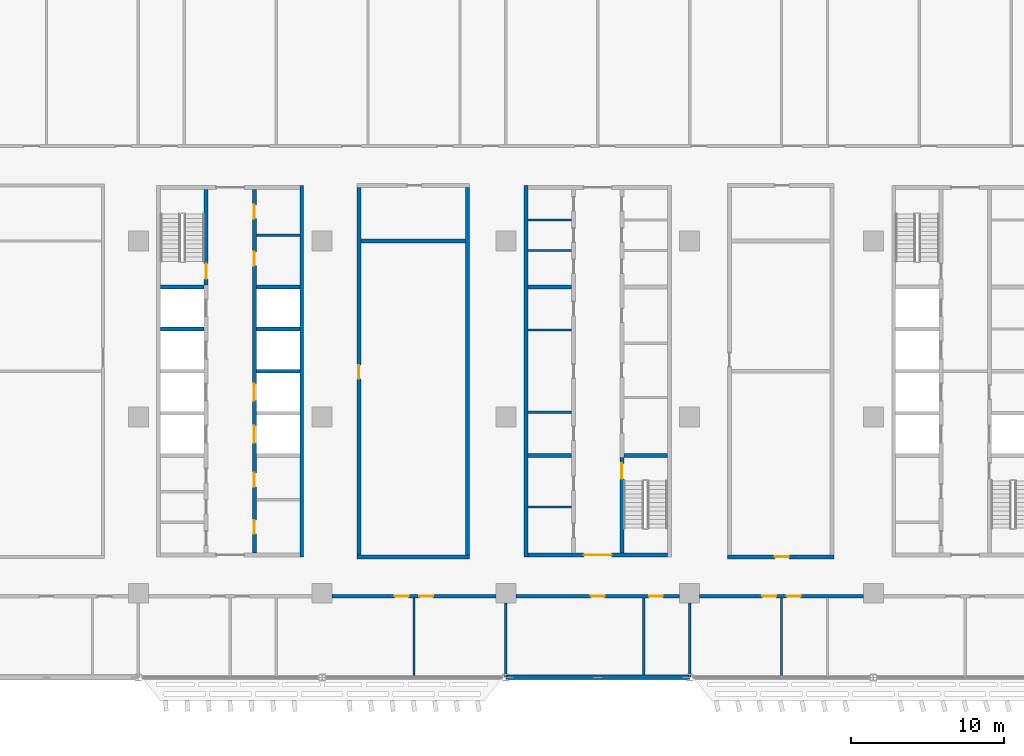
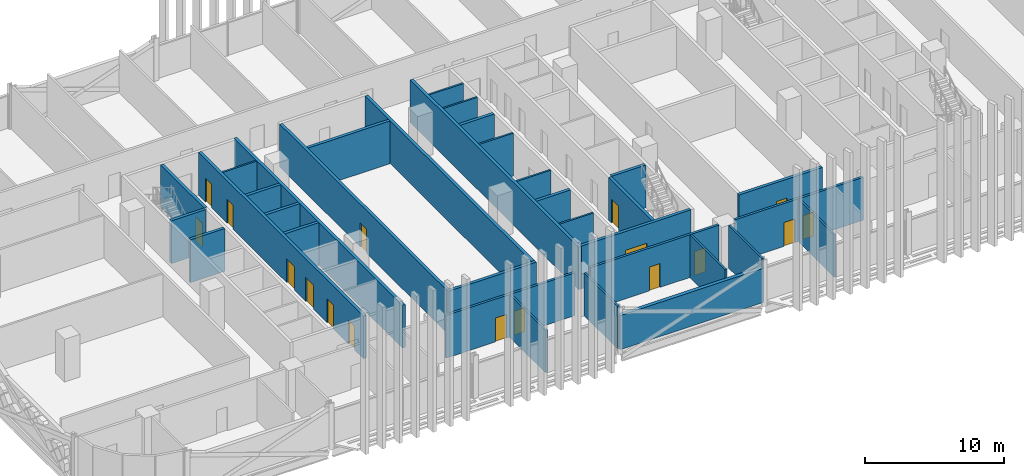
# One storey, part 14 of 32: 34 walls, 17 doors, 17 openings.
"""IFC4 building model written with IfcOpenShell, lengths in metres."""

from ifc_helpers import new_model, si_unit, direction, frame, frame_2d, origin, place, context, subcontext, project, spatial, rectangle, extrude, material, layer, layer_set, type_object, element, fill, save


model = new_model("IFC4")

# Units and contexts
model_context = context("Model", 3, precision=1e-05, world=origin(), true_north=direction((0.0, 1.0)))
body_context = subcontext(model_context, "Body", "Model", "MODEL_VIEW")
ifc_project = project(units=[si_unit("LENGTHUNIT", "METRE"), si_unit("AREAUNIT", "SQUARE_METRE"), si_unit("VOLUMEUNIT", "CUBIC_METRE"), si_unit("PLANEANGLEUNIT", "RADIAN"), si_unit("MASSUNIT", "GRAM", prefix="KILO")], contexts=[model_context])

# Site, building, storey
site_placement = place(None, origin())
site = spatial("IfcSite", under=ifc_project, at=site_placement, CompositionType="ELEMENT")
building_placement = place(site_placement, origin())
building = spatial("IfcBuilding", under=site, at=building_placement, Name="Mahtab Terrace Research Tower", CompositionType="ELEMENT")
storey_placement = place(building_placement, frame((0.0, 0.0, 138.39990234375)))
storey = spatial("IfcBuildingStorey", under=building, at=storey_placement, Name="L32", CompositionType="ELEMENT", Elevation=138.39990234375)

# Walls
ifc_material_1 = material(Name="Gypsum board partition")
ifc_layer_1 = layer(ifc_material_1, 0.14990234375)
ifc_layer_set_1 = layer_set([ifc_layer_1], Name="Core partition 150")
wall_type_1 = type_object("IfcWallType", Name="Core partition 150", PredefinedType="PARTITIONING", material=ifc_layer_set_1)
for number, where, z_axis, x_axis, name in (
    (1, (-22.300048828125, 11.875, 0.0), (0.0, 0.0, 1.0), (1.0, 0.0, 0.0), "Core wall A pEN888"),
    (2, (-4.550048828125, 0.3125, 0.0), (0.0, 0.0, 1.0), (1.0, 0.0, 0.0), "Core wall B pWL-269"),
    (3, (-4.550048828125, 5.6875, 0.0), (0.0, 0.0, 1.0), (1.0, 0.0, 0.0), "Core wall B pWL269"),
    (4, (-4.550048828125, -5.875, 0.0), (0.0, 0.0, 1.0), (1.0, 0.0, 0.0), "Core wall B pWS-888"),
    (5, (-4.550048828125, 10.875, 0.0), (0.0, 0.0, 1.0), (1.0, 0.0, 0.0), "Core wall B pWN788"),
    (6, (-4.550048828125, 12.875, 0.0), (0.0, 0.0, 1.0), (1.0, 0.0, 0.0), "Core wall B pWN988"),
):
    element("IfcWall", number, at=place(storey_placement, frame(where, z_axis=z_axis, x_axis=x_axis)), inside=storey, type_object=wall_type_1, Name=name, PredefinedType="PARTITIONING", context=body_context, shape_type="SweptSolid", body=[
        extrude(rectangle(XDim=2.85009765625, YDim=0.14990234375, at=frame_2d((1.425048828125, 0.0))), origin(), (0.0, 0.0, 1.0), 3.760009765625),
    ])
ifc_material_2 = material(Name="Concrete C70/85", Category="concrete")
ifc_layer_2 = layer(ifc_material_2, 0.25)
ifc_layer_set_2 = layer_set([ifc_layer_2], Name="Core wall 250")
wall_type_2 = type_object("IfcWallType", Name="Core wall 250", PredefinedType="SOLIDWALL", material=ifc_layer_set_2)
wall_1_placement = place(storey_placement, frame((-19.324951171875, -9.125, 0.0), z_axis=(0.0, 0.0, 1.0), x_axis=(0.0, 1.0, 0.0)))
element("IfcWall", 7, at=wall_1_placement, inside=storey, type_object=wall_type_2, Name="Core wall A outerE", PredefinedType="SOLIDWALL", context=body_context, shape_type="SweptSolid", body=[
    extrude(rectangle(XDim=24.25, YDim=0.25, at=frame_2d((12.125, 0.0))), origin(), (0.0, 0.0, 1.0), 3.760009765625),
])

# Wall, opening, door
wall_2_placement = place(storey_placement, frame((-25.574951171875, 14.875, 0.0), z_axis=(0.0, 0.0, 1.0), x_axis=(0.0, -1.0, 0.0)))
wall_2 = element("IfcWall", 8, at=wall_2_placement, inside=storey, type_object=wall_type_2, Name="Core wall A innerWN", PredefinedType="SOLIDWALL", context=body_context, shape_type="SweptSolid", body=[
    extrude(rectangle(XDim=6.25, YDim=0.25, at=frame_2d((3.125, 0.0))), origin(), (0.0, 0.0, 1.0), 3.760009765625),
])
opening_1_placement = place(wall_2_placement, frame((4.85009765625, 0.0, 0.0)))
opening_1 = element("IfcOpeningElement", 9, at=opening_1_placement, cuts=wall_2, Name="Opening A-ST1", PredefinedType="OPENING", context=body_context, shape_type="SweptSolid", body=[
    extrude(rectangle(XDim=1.0, YDim=2.10009765625, at=frame_2d((0.5, 1.050048828125))), frame((0.0, 0.135009765625, 0.0), z_axis=(0.0, -1.0, 0.0), x_axis=(1.0, 0.0, 0.0)), (0.0, 0.0, 1.0), 0.27001953125),
])
ifc_material_3 = material(Name="Steel fire door", Category="steel")
door_type_1 = type_object("IfcDoorType", Name="Stair door 1000x2100 1.5 HR", OperationType="NOTDEFINED", PredefinedType="DOOR", material=ifc_material_3)
door_1_placement = place(opening_1_placement, origin())
door_1 = element("IfcDoor", 10, at=door_1_placement, inside=storey, type_object=door_type_1, Name="Stair door ST1 L32", OperationType="SINGLE_SWING_RIGHT", OverallHeight=2.10009765625, OverallWidth=1.0, PredefinedType="DOOR", context=body_context, shape_type="SweptSolid", body=[
    extrude(rectangle(XDim=1.0, YDim=2.10009765625, at=frame_2d((0.5, 1.050048828125))), frame((0.0, 0.02490234375, 0.0), z_axis=(0.0, -1.0, 0.0), x_axis=(1.0, 0.0, 0.0)), (0.0, 0.0, 1.0), 0.050048828125),
])
fill(opening_1, door_1)

# Wall, openings, doors
wall_3_placement = place(storey_placement, frame((-22.425048828125, 14.875, 0.0), z_axis=(0.0, 0.0, 1.0), x_axis=(0.0, -1.0, 0.0)))
wall_3 = element("IfcWall", 11, at=wall_3_placement, inside=storey, type_object=wall_type_2, Name="Core wall A innerESLN", PredefinedType="SOLIDWALL", context=body_context, shape_type="SweptSolid", body=[
    extrude(rectangle(XDim=23.75, YDim=0.25, at=frame_2d((11.875, 0.0))), origin(), (0.0, 0.0, 1.0), 3.760009765625),
])
opening_2_placement = place(wall_3_placement, frame((15.449951171875, 0.0, 0.0)))
opening_2 = element("IfcOpeningElement", 12, at=opening_2_placement, cuts=wall_3, Name="Opening LD05-L32", PredefinedType="OPENING", context=body_context, shape_type="SweptSolid", body=[
    extrude(rectangle(XDim=1.10009765625, YDim=2.10009765625, at=frame_2d((0.550048828125, 1.050048828125))), frame((0.0, 0.135009765625, 0.0), z_axis=(0.0, -1.0, 0.0), x_axis=(1.0, 0.0, 0.0)), (0.0, 0.0, 1.0), 0.27001953125),
])
opening_3_placement = place(wall_3_placement, frame((12.699951171875, 0.0, 0.0)))
opening_3 = element("IfcOpeningElement", 13, at=opening_3_placement, cuts=wall_3, Name="Opening LD06-L32", PredefinedType="OPENING", context=body_context, shape_type="SweptSolid", body=[
    extrude(rectangle(XDim=1.10009765625, YDim=2.10009765625, at=frame_2d((0.550048828125, 1.050048828125))), frame((0.0, 0.135009765625, 0.0), z_axis=(0.0, -1.0, 0.0), x_axis=(1.0, 0.0, 0.0)), (0.0, 0.0, 1.0), 0.27001953125),
])
opening_4_placement = place(wall_3_placement, frame((21.597412109375, 0.0, 0.0)))
opening_4 = element("IfcOpeningElement", 14, at=opening_4_placement, cuts=wall_3, Name="Opening A-R4", PredefinedType="OPENING", context=body_context, shape_type="SweptSolid", body=[
    extrude(rectangle(XDim=0.89990234375, YDim=2.10009765625, at=frame_2d((0.449951171875, 1.050048828125))), frame((0.0, 0.135009765625, 0.0), z_axis=(0.0, -1.0, 0.0), x_axis=(1.0, 0.0, 0.0)), (0.0, 0.0, 1.0), 0.27001953125),
])
opening_5_placement = place(wall_3_placement, frame((18.5224609375, 0.0, 0.0)))
opening_5 = element("IfcOpeningElement", 15, at=opening_5_placement, cuts=wall_3, Name="Opening A-R5", PredefinedType="OPENING", context=body_context, shape_type="SweptSolid", body=[
    extrude(rectangle(XDim=0.89990234375, YDim=2.10009765625, at=frame_2d((0.449951171875, 1.050048828125))), frame((0.0, 0.135009765625, 0.0), z_axis=(0.0, -1.0, 0.0), x_axis=(1.0, 0.0, 0.0)), (0.0, 0.0, 1.0), 0.27001953125),
])
opening_6_placement = place(wall_3_placement, frame((4.08740234375, 0.0, 0.0)))
opening_6 = element("IfcOpeningElement", 16, at=opening_6_placement, cuts=wall_3, Name="Opening A-R6", PredefinedType="OPENING", context=body_context, shape_type="SweptSolid", body=[
    extrude(rectangle(XDim=0.89990234375, YDim=2.10009765625, at=frame_2d((0.449951171875, 1.050048828125))), frame((0.0, 0.135009765625, 0.0), z_axis=(0.0, -1.0, 0.0), x_axis=(1.0, 0.0, 0.0)), (0.0, 0.0, 1.0), 0.27001953125),
])
opening_7_placement = place(wall_3_placement, frame((1.012451171875, 0.0, 0.0)))
opening_7 = element("IfcOpeningElement", 17, at=opening_7_placement, cuts=wall_3, Name="Opening A-R7", PredefinedType="OPENING", context=body_context, shape_type="SweptSolid", body=[
    extrude(rectangle(XDim=0.89990234375, YDim=2.10009765625, at=frame_2d((0.449951171875, 1.050048828125))), frame((0.0, 0.135009765625, 0.0), z_axis=(0.0, -1.0, 0.0), x_axis=(1.0, 0.0, 0.0)), (0.0, 0.0, 1.0), 0.27001953125),
])
ifc_material_4 = material(Name="Stainless steel AISI 304", Category="steel")
door_type_2 = type_object("IfcDoorType", Name="Landing door 1100x2100", OperationType="DOUBLE_DOOR_SLIDING", PredefinedType="DOOR", material=ifc_material_4)
door_2_placement = place(opening_2_placement, origin())
door_2 = element("IfcDoor", 18, at=door_2_placement, inside=storey, type_object=door_type_2, Name="Landing door LR5 L32", OperationType="DOUBLE_DOOR_SLIDING", OverallHeight=2.10009765625, OverallWidth=1.10009765625, PredefinedType="DOOR", context=body_context, shape_type="SweptSolid", body=[
    extrude(rectangle(XDim=1.10009765625, YDim=2.10009765625, at=frame_2d((0.550048828125, 1.050048828125))), frame((0.0, 0.02490234375, 0.0), z_axis=(0.0, -1.0, 0.0), x_axis=(1.0, 0.0, 0.0)), (0.0, 0.0, 1.0), 0.050048828125),
])
fill(opening_2, door_2)
door_3_placement = place(opening_3_placement, origin())
door_3 = element("IfcDoor", 19, at=door_3_placement, inside=storey, type_object=door_type_2, Name="Landing door LR6 L32", OperationType="DOUBLE_DOOR_SLIDING", OverallHeight=2.10009765625, OverallWidth=1.10009765625, PredefinedType="DOOR", context=body_context, shape_type="SweptSolid", body=[
    extrude(rectangle(XDim=1.10009765625, YDim=2.10009765625, at=frame_2d((0.550048828125, 1.050048828125))), frame((0.0, 0.02490234375, 0.0), z_axis=(0.0, -1.0, 0.0), x_axis=(1.0, 0.0, 0.0)), (0.0, 0.0, 1.0), 0.050048828125),
])
fill(opening_3, door_3)
door_type_3 = type_object("IfcDoorType", Name="Room door 900x2100 1 HR", OperationType="NOTDEFINED", PredefinedType="DOOR", material=ifc_material_3)
door_4_placement = place(opening_4_placement, origin())
door_4 = element("IfcDoor", 20, at=door_4_placement, inside=storey, type_object=door_type_3, Name="Pantry door", OperationType="SINGLE_SWING_RIGHT", OverallHeight=2.10009765625, OverallWidth=0.89990234375, PredefinedType="DOOR", context=body_context, shape_type="SweptSolid", body=[
    extrude(rectangle(XDim=0.89990234375, YDim=2.10009765625, at=frame_2d((0.449951171875, 1.050048828125))), frame((0.0, 0.02490234375, 0.0), z_axis=(0.0, -1.0, 0.0), x_axis=(1.0, 0.0, 0.0)), (0.0, 0.0, 1.0), 0.050048828125),
])
fill(opening_4, door_4)
door_5_placement = place(opening_5_placement, origin())
door_5 = element("IfcDoor", 21, at=door_5_placement, inside=storey, type_object=door_type_3, Name="Linen store door", OperationType="SINGLE_SWING_LEFT", OverallHeight=2.10009765625, OverallWidth=0.89990234375, PredefinedType="DOOR", context=body_context, shape_type="SweptSolid", body=[
    extrude(rectangle(XDim=0.89990234375, YDim=2.10009765625, at=frame_2d((0.449951171875, 1.050048828125))), frame((0.0, 0.02490234375, 0.0), z_axis=(0.0, -1.0, 0.0), x_axis=(1.0, 0.0, 0.0)), (0.0, 0.0, 1.0), 0.050048828125),
])
fill(opening_5, door_5)
door_6_placement = place(opening_6_placement, origin())
door_6 = element("IfcDoor", 22, at=door_6_placement, inside=storey, type_object=door_type_3, Name="Housekeeping store door", OperationType="SINGLE_SWING_RIGHT", OverallHeight=2.10009765625, OverallWidth=0.89990234375, PredefinedType="DOOR", context=body_context, shape_type="SweptSolid", body=[
    extrude(rectangle(XDim=0.89990234375, YDim=2.10009765625, at=frame_2d((0.449951171875, 1.050048828125))), frame((0.0, 0.02490234375, 0.0), z_axis=(0.0, -1.0, 0.0), x_axis=(1.0, 0.0, 0.0)), (0.0, 0.0, 1.0), 0.050048828125),
])
fill(opening_6, door_6)
door_7_placement = place(opening_7_placement, origin())
door_7 = element("IfcDoor", 23, at=door_7_placement, inside=storey, type_object=door_type_3, Name="Electrical riser room door", OperationType="SINGLE_SWING_LEFT", OverallHeight=2.10009765625, OverallWidth=0.89990234375, PredefinedType="DOOR", context=body_context, shape_type="SweptSolid", body=[
    extrude(rectangle(XDim=0.89990234375, YDim=2.10009765625, at=frame_2d((0.449951171875, 1.050048828125))), frame((0.0, 0.02490234375, 0.0), z_axis=(0.0, -1.0, 0.0), x_axis=(1.0, 0.0, 0.0)), (0.0, 0.0, 1.0), 0.050048828125),
])
fill(opening_7, door_7)

# Walls
for number, where, z_axis, x_axis, name in (
    (24, (-28.550048828125, 5.75, 0.0), (0.0, 0.0, 1.0), (1.0, 0.0, 0.0), "Core wall A divW3"),
    (25, (-28.550048828125, 8.5, 0.0), (0.0, 0.0, 1.0), (1.0, 0.0, 0.0), "Core wall A divW4"),
    (26, (-22.300048828125, 3.0, 0.0), (0.0, 0.0, 1.0), (1.0, 0.0, 0.0), "Core wall A divE2"),
    (27, (-22.300048828125, 5.75, 0.0), (0.0, 0.0, 1.0), (1.0, 0.0, 0.0), "Core wall A divE3"),
    (28, (-22.300048828125, 8.5, 0.0), (0.0, 0.0, 1.0), (1.0, 0.0, 0.0), "Core wall A divE4"),
):
    element("IfcWall", number, at=place(storey_placement, frame(where, z_axis=z_axis, x_axis=x_axis)), inside=storey, type_object=wall_type_2, Name=name, PredefinedType="SOLIDWALL", context=body_context, shape_type="SweptSolid", body=[
        extrude(rectangle(XDim=2.85009765625, YDim=0.25, at=frame_2d((1.425048828125, 0.0))), origin(), (0.0, 0.0, 1.0), 3.760009765625),
    ])
wall_4_placement = place(storey_placement, frame((-4.675048828125, 15.125, 0.0), z_axis=(0.0, 0.0, 1.0), x_axis=(0.0, -1.0, 0.0)))
element("IfcWall", 29, at=wall_4_placement, inside=storey, type_object=wall_type_2, Name="Core wall B outerW", PredefinedType="SOLIDWALL", context=body_context, shape_type="SweptSolid", body=[
    extrude(rectangle(XDim=24.25, YDim=0.25, at=frame_2d((12.125, 0.0))), origin(), (0.0, 0.0, 1.0), 3.760009765625),
])

# Wall, opening, door
wall_5_placement = place(storey_placement, frame((4.550048828125, -9.0, 0.0), z_axis=(0.0, 0.0, 1.0), x_axis=(-1.0, 0.0, 0.0)))
wall_5 = element("IfcWall", 30, at=wall_5_placement, inside=storey, type_object=wall_type_2, Name="Core wall B endS", PredefinedType="SOLIDWALL", context=body_context, shape_type="SweptSolid", body=[
    extrude(rectangle(XDim=9.10009765625, YDim=0.25, at=frame_2d((4.550048828125, 0.0))), origin(), (0.0, 0.0, 1.0), 3.760009765625),
])
opening_8_placement = place(wall_5_placement, frame((3.64990234375, 0.0, 0.0)))
opening_8 = element("IfcOpeningElement", 31, at=opening_8_placement, cuts=wall_5, Name="Opening B-S1", PredefinedType="OPENING", context=body_context, shape_type="SweptSolid", body=[
    extrude(rectangle(XDim=1.800048828125, YDim=2.10009765625, at=frame_2d((0.89990234375, 1.050048828125))), frame((0.0, 0.135009765625, 0.0), z_axis=(0.0, -1.0, 0.0), x_axis=(1.0, 0.0, 0.0)), (0.0, 0.0, 1.0), 0.27001953125),
])
door_type_4 = type_object("IfcDoorType", Name="Lobby double door 1800x2100 1 HR", OperationType="DOUBLE_DOOR_SINGLE_SWING", PredefinedType="DOOR", material=ifc_material_3)
door_8_placement = place(opening_8_placement, origin())
door_8 = element("IfcDoor", 32, at=door_8_placement, inside=storey, type_object=door_type_4, Name="Core entrance door B S", OperationType="DOUBLE_DOOR_SINGLE_SWING", OverallHeight=2.10009765625, OverallWidth=1.800048828125, PredefinedType="DOOR", context=body_context, shape_type="SweptSolid", body=[
    extrude(rectangle(XDim=1.800048828125, YDim=2.10009765625, at=frame_2d((0.89990234375, 1.050048828125))), frame((0.0, 0.02490234375, 0.0), z_axis=(0.0, -1.0, 0.0), x_axis=(1.0, 0.0, 0.0)), (0.0, 0.0, 1.0), 0.050048828125),
])
fill(opening_8, door_8)

wall_6_placement = place(storey_placement, frame((1.574951171875, -8.875, 0.0), z_axis=(0.0, 0.0, 1.0), x_axis=(0.0, 1.0, 0.0)))
wall_6 = element("IfcWall", 33, at=wall_6_placement, inside=storey, type_object=wall_type_2, Name="Core wall B innerES", PredefinedType="SOLIDWALL", context=body_context, shape_type="SweptSolid", body=[
    extrude(rectangle(XDim=6.25, YDim=0.25, at=frame_2d((3.125, 0.0))), origin(), (0.0, 0.0, 1.0), 3.760009765625),
])
opening_9_placement = place(wall_6_placement, frame((4.85009765625, 0.0, 0.0)))
opening_9 = element("IfcOpeningElement", 34, at=opening_9_placement, cuts=wall_6, Name="Opening B-ST2", PredefinedType="OPENING", context=body_context, shape_type="SweptSolid", body=[
    extrude(rectangle(XDim=1.0, YDim=2.10009765625, at=frame_2d((0.5, 1.050048828125))), frame((0.0, 0.135009765625, 0.0), z_axis=(0.0, -1.0, 0.0), x_axis=(1.0, 0.0, 0.0)), (0.0, 0.0, 1.0), 0.27001953125),
])
door_9_placement = place(opening_9_placement, origin())
door_9 = element("IfcDoor", 35, at=door_9_placement, inside=storey, type_object=door_type_1, Name="Stair door ST2 L32", OperationType="SINGLE_SWING_LEFT", OverallHeight=2.10009765625, OverallWidth=1.0, PredefinedType="DOOR", context=body_context, shape_type="SweptSolid", body=[
    extrude(rectangle(XDim=1.0, YDim=2.10009765625, at=frame_2d((0.5, 1.050048828125))), frame((0.0, 0.02490234375, 0.0), z_axis=(0.0, -1.0, 0.0), x_axis=(1.0, 0.0, 0.0)), (0.0, 0.0, 1.0), 0.050048828125),
])
fill(opening_9, door_9)

# Walls
for number, where, z_axis, x_axis, name in (
    (36, (-4.550048828125, -2.5, 0.0), (0.0, 0.0, 1.0), (1.0, 0.0, 0.0), "Core wall B divW0"),
    (37, (-4.550048828125, 8.5, 0.0), (0.0, 0.0, 1.0), (1.0, 0.0, 0.0), "Core wall B divW4"),
    (38, (1.699951171875, -2.5, 0.0), (0.0, 0.0, 1.0), (1.0, 0.0, 0.0), "Core wall B divE0"),
):
    element("IfcWall", number, at=place(storey_placement, frame(where, z_axis=z_axis, x_axis=x_axis)), inside=storey, type_object=wall_type_2, Name=name, PredefinedType="SOLIDWALL", context=body_context, shape_type="SweptSolid", body=[
        extrude(rectangle(XDim=2.85009765625, YDim=0.25, at=frame_2d((1.425048828125, 0.0))), origin(), (0.0, 0.0, 1.0), 3.760009765625),
    ])
ifc_material_5 = material(Name="Black aluminium cladding panel", Category="aluminium")
ifc_layer_3 = layer(ifc_material_5, 0.300048828125)
ifc_layer_set_3 = layer_set([ifc_layer_3], Name="Opaque facade wall 300")
wall_type_3 = type_object("IfcWallType", Name="Opaque facade wall 300", PredefinedType="NOTDEFINED", material=ifc_layer_set_3)
wall_7_placement = place(storey_placement, frame((-5.982177734375, -17.0, 0.0), z_axis=(0.0, 0.0, 1.0), x_axis=(1.0, 0.0, 0.0)))
element("IfcWall", 39, at=wall_7_placement, inside=storey, type_object=wall_type_3, Name="Opaque facade wall L32 S27", PredefinedType="NOTDEFINED", context=body_context, shape_type="SweptSolid", body=[
    extrude(rectangle(XDim=11.96435546875, YDim=0.300048828125, at=frame_2d((5.982177734375, 0.0))), origin(), (0.0, 0.0, 1.0), 3.003173828125),
])
ifc_material_6 = material(Name="Masonry control area wall", Category="masonry")
ifc_layer_4 = layer(ifc_material_6, 0.25)
ifc_layer_set_4 = layer_set([ifc_layer_4], Name="WALL CONTROL AREA 250")
wall_type_4 = type_object("IfcWallType", Name="WALL CONTROL AREA 250", PredefinedType="PARTITIONING", material=ifc_layer_set_4)
wall_8_placement = place(storey_placement, frame((-15.72509765625, -9.125, 0.0), z_axis=(0.0, 0.0, 1.0), x_axis=(1.0, 0.0, 0.0)))
element("IfcWall", 40, at=wall_8_placement, inside=storey, type_object=wall_type_4, Name="L32-W011", PredefinedType="PARTITIONING", context=body_context, shape_type="SweptSolid", body=[
    extrude(rectangle(XDim=7.35009765625, YDim=0.25, at=frame_2d((3.675048828125, 0.0))), origin(), (0.0, 0.0, 1.0), 3.760009765625),
])

# Wall, opening, door
wall_9_placement = place(storey_placement, frame((8.47509765625, -9.125, 0.0), z_axis=(0.0, 0.0, 1.0), x_axis=(1.0, 0.0, 0.0)))
wall_9 = element("IfcWall", 41, at=wall_9_placement, inside=storey, type_object=wall_type_4, Name="L32-W012", PredefinedType="PARTITIONING", context=body_context, shape_type="SweptSolid", body=[
    extrude(rectangle(XDim=6.949951171875, YDim=0.25, at=frame_2d((3.47509765625, 0.0))), origin(), (0.0, 0.0, 1.0), 3.760009765625),
])
opening_10_placement = place(wall_9_placement, frame((3.10009765625, 0.0, 0.0)))
opening_10 = element("IfcOpeningElement", 42, at=opening_10_placement, cuts=wall_9, Name="Opening L32-118", PredefinedType="OPENING", context=body_context, shape_type="SweptSolid", body=[
    extrude(rectangle(XDim=0.89990234375, YDim=2.10009765625, at=frame_2d((0.449951171875, 1.050048828125))), frame((0.0, 0.135009765625, 0.0), z_axis=(0.0, -1.0, 0.0), x_axis=(1.0, 0.0, 0.0)), (0.0, 0.0, 1.0), 0.27001953125),
])
ifc_material_7 = material(Name="Timber door leaf in steel frame", Category="steel")
door_type_5 = type_object("IfcDoorType", Name="DOOR 0900X2100 FD120", OperationType="SINGLE_SWING_LEFT", PredefinedType="DOOR", material=ifc_material_7)
door_10_placement = place(opening_10_placement, origin())
door_10 = element("IfcDoor", 43, at=door_10_placement, inside=storey, type_object=door_type_5, Name="Door L32-118", OperationType="SINGLE_SWING_RIGHT", OverallHeight=2.10009765625, OverallWidth=0.89990234375, PredefinedType="DOOR", context=body_context, shape_type="SweptSolid", body=[
    extrude(rectangle(XDim=0.89990234375, YDim=2.10009765625, at=frame_2d((0.449951171875, 1.050048828125))), frame((0.0, 0.02490234375, 0.0), z_axis=(0.0, -1.0, 0.0), x_axis=(1.0, 0.0, 0.0)), (0.0, 0.0, 1.0), 0.050048828125),
])
fill(opening_10, door_10)

# Wall
wall_10_placement = place(storey_placement, frame((-15.47509765625, 11.5, 0.0), z_axis=(0.0, 0.0, 1.0), x_axis=(1.0, 0.0, 0.0)))
element("IfcWall", 44, at=wall_10_placement, inside=storey, type_object=wall_type_4, Name="L32-W018", PredefinedType="PARTITIONING", context=body_context, shape_type="SweptSolid", body=[
    extrude(rectangle(XDim=6.85009765625, YDim=0.25, at=frame_2d((3.425048828125, 0.0))), origin(), (0.0, 0.0, 1.0), 3.760009765625),
])

# Wall, opening, door
wall_11_placement = place(storey_placement, frame((-15.60009765625, -9.0, 0.0), z_axis=(0.0, 0.0, 1.0), x_axis=(0.0, 1.0, 0.0)))
wall_11 = element("IfcWall", 45, at=wall_11_placement, inside=storey, type_object=wall_type_4, Name="L32-W038", PredefinedType="PARTITIONING", context=body_context, shape_type="SweptSolid", body=[
    extrude(rectangle(XDim=24.0, YDim=0.25, at=frame_2d((12.0, 0.0))), origin(), (0.0, 0.0, 1.0), 3.760009765625),
])
opening_11_placement = place(wall_11_placement, frame((11.5, 0.0, 0.0)))
opening_11 = element("IfcOpeningElement", 46, at=opening_11_placement, cuts=wall_11, Name="Opening L32-119", PredefinedType="OPENING", context=body_context, shape_type="SweptSolid", body=[
    extrude(rectangle(XDim=0.89990234375, YDim=2.10009765625, at=frame_2d((0.449951171875, 1.050048828125))), frame((0.0, 0.135009765625, 0.0), z_axis=(0.0, -1.0, 0.0), x_axis=(1.0, 0.0, 0.0)), (0.0, 0.0, 1.0), 0.27001953125),
])
door_11_placement = place(opening_11_placement, origin())
door_11 = element("IfcDoor", 47, at=door_11_placement, inside=storey, type_object=door_type_5, Name="Door L32-119", OperationType="SINGLE_SWING_RIGHT", OverallHeight=2.10009765625, OverallWidth=0.89990234375, PredefinedType="DOOR", context=body_context, shape_type="SweptSolid", body=[
    extrude(rectangle(XDim=0.89990234375, YDim=2.10009765625, at=frame_2d((0.449951171875, 1.050048828125))), frame((0.0, 0.02490234375, 0.0), z_axis=(0.0, -1.0, 0.0), x_axis=(1.0, 0.0, 0.0)), (0.0, 0.0, 1.0), 0.050048828125),
])
fill(opening_11, door_11)

# Wall
wall_12_placement = place(storey_placement, frame((-8.5, -9.0, 0.0), z_axis=(0.0, 0.0, 1.0), x_axis=(0.0, 1.0, 0.0)))
element("IfcWall", 48, at=wall_12_placement, inside=storey, type_object=wall_type_4, Name="L32-W042", PredefinedType="PARTITIONING", context=body_context, shape_type="SweptSolid", body=[
    extrude(rectangle(XDim=24.0, YDim=0.25, at=frame_2d((12.0, 0.0))), origin(), (0.0, 0.0, 1.0), 3.760009765625),
])

# Wall, openings, doors
ifc_material_8 = material(Name="Gypsum board corridor wall on steel studs", Category="steel")
ifc_layer_5 = layer(ifc_material_8, 0.199951171875)
ifc_layer_set_5 = layer_set([ifc_layer_5], Name="WALL CORRIDOR 200")
wall_type_5 = type_object("IfcWallType", Name="WALL CORRIDOR 200", PredefinedType="PARTITIONING", material=ifc_layer_set_5)
wall_13_placement = place(storey_placement, frame((-17.35009765625, -11.699951171875, 0.0), z_axis=(0.0, 0.0, 1.0), x_axis=(1.0, 0.0, 0.0)))
wall_13 = element("IfcWall", 49, at=wall_13_placement, inside=storey, type_object=wall_type_5, Name="L32-W004", PredefinedType="PARTITIONING", context=body_context, shape_type="SweptSolid", body=[
    extrude(rectangle(XDim=10.7001953125, YDim=0.199951171875, at=frame_2d((5.35009765625, 0.0))), origin(), (0.0, 0.0, 1.0), 3.760009765625),
])
opening_12_placement = place(wall_13_placement, frame((4.10009765625, 0.0, 0.0)))
opening_12 = element("IfcOpeningElement", 50, at=opening_12_placement, cuts=wall_13, Name="Opening L32-106", PredefinedType="OPENING", context=body_context, shape_type="SweptSolid", body=[
    extrude(rectangle(XDim=0.89990234375, YDim=2.10009765625, at=frame_2d((0.449951171875, 1.050048828125))), frame((0.0, 0.10986328125, 0.0), z_axis=(0.0, -1.0, 0.0), x_axis=(1.0, 0.0, 0.0)), (0.0, 0.0, 1.0), 0.219970703125),
])
opening_13_placement = place(wall_13_placement, frame((5.699951171875, 0.0, 0.0)))
opening_13 = element("IfcOpeningElement", 51, at=opening_13_placement, cuts=wall_13, Name="Opening L32-107", PredefinedType="OPENING", context=body_context, shape_type="SweptSolid", body=[
    extrude(rectangle(XDim=0.89990234375, YDim=2.10009765625, at=frame_2d((0.449951171875, 1.050048828125))), frame((0.0, 0.10986328125, 0.0), z_axis=(0.0, -1.0, 0.0), x_axis=(1.0, 0.0, 0.0)), (0.0, 0.0, 1.0), 0.219970703125),
])
door_type_6 = type_object("IfcDoorType", Name="DOOR 0900X2100 FD30S", OperationType="SINGLE_SWING_LEFT", PredefinedType="DOOR", material=ifc_material_7)
door_12_placement = place(opening_12_placement, origin())
door_12 = element("IfcDoor", 52, at=door_12_placement, inside=storey, type_object=door_type_6, Name="Door L32-106", OperationType="SINGLE_SWING_RIGHT", OverallHeight=2.10009765625, OverallWidth=0.89990234375, PredefinedType="DOOR", context=body_context, shape_type="SweptSolid", body=[
    extrude(rectangle(XDim=0.89990234375, YDim=2.10009765625, at=frame_2d((0.449951171875, 1.050048828125))), frame((0.0, 0.02490234375, 0.0), z_axis=(0.0, -1.0, 0.0), x_axis=(1.0, 0.0, 0.0)), (0.0, 0.0, 1.0), 0.050048828125),
])
fill(opening_12, door_12)
door_13_placement = place(opening_13_placement, origin())
door_13 = element("IfcDoor", 53, at=door_13_placement, inside=storey, type_object=door_type_6, Name="Door L32-107", OperationType="SINGLE_SWING_LEFT", OverallHeight=2.10009765625, OverallWidth=0.89990234375, PredefinedType="DOOR", context=body_context, shape_type="SweptSolid", body=[
    extrude(rectangle(XDim=0.89990234375, YDim=2.10009765625, at=frame_2d((0.449951171875, 1.050048828125))), frame((0.0, 0.02490234375, 0.0), z_axis=(0.0, -1.0, 0.0), x_axis=(1.0, 0.0, 0.0)), (0.0, 0.0, 1.0), 0.050048828125),
])
fill(opening_13, door_13)

wall_14_placement = place(storey_placement, frame((-5.35009765625, -11.699951171875, 0.0), z_axis=(0.0, 0.0, 1.0), x_axis=(1.0, 0.0, 0.0)))
wall_14 = element("IfcWall", 54, at=wall_14_placement, inside=storey, type_object=wall_type_5, Name="L32-W005", PredefinedType="PARTITIONING", context=body_context, shape_type="SweptSolid", body=[
    extrude(rectangle(XDim=10.7001953125, YDim=0.199951171875, at=frame_2d((5.35009765625, 0.0))), origin(), (0.0, 0.0, 1.0), 3.760009765625),
])
opening_14_placement = place(wall_14_placement, frame((4.89990234375, 0.0, 0.0)))
opening_14 = element("IfcOpeningElement", 55, at=opening_14_placement, cuts=wall_14, Name="Opening L32-108", PredefinedType="OPENING", context=body_context, shape_type="SweptSolid", body=[
    extrude(rectangle(XDim=0.89990234375, YDim=2.10009765625, at=frame_2d((0.449951171875, 1.050048828125))), frame((0.0, 0.10986328125, 0.0), z_axis=(0.0, -1.0, 0.0), x_axis=(1.0, 0.0, 0.0)), (0.0, 0.0, 1.0), 0.219970703125),
])
opening_15_placement = place(wall_14_placement, frame((8.699951171875, 0.0, 0.0)))
opening_15 = element("IfcOpeningElement", 56, at=opening_15_placement, cuts=wall_14, Name="Opening L32-109", PredefinedType="OPENING", context=body_context, shape_type="SweptSolid", body=[
    extrude(rectangle(XDim=0.89990234375, YDim=2.10009765625, at=frame_2d((0.449951171875, 1.050048828125))), frame((0.0, 0.10986328125, 0.0), z_axis=(0.0, -1.0, 0.0), x_axis=(1.0, 0.0, 0.0)), (0.0, 0.0, 1.0), 0.219970703125),
])
door_14_placement = place(opening_14_placement, origin())
door_14 = element("IfcDoor", 57, at=door_14_placement, inside=storey, type_object=door_type_6, Name="Door L32-108", OperationType="SINGLE_SWING_LEFT", OverallHeight=2.10009765625, OverallWidth=0.89990234375, PredefinedType="DOOR", context=body_context, shape_type="SweptSolid", body=[
    extrude(rectangle(XDim=0.89990234375, YDim=2.10009765625, at=frame_2d((0.449951171875, 1.050048828125))), frame((0.0, 0.02490234375, 0.0), z_axis=(0.0, -1.0, 0.0), x_axis=(1.0, 0.0, 0.0)), (0.0, 0.0, 1.0), 0.050048828125),
])
fill(opening_14, door_14)
door_15_placement = place(opening_15_placement, origin())
door_15 = element("IfcDoor", 58, at=door_15_placement, inside=storey, type_object=door_type_6, Name="Door L32-109", OperationType="SINGLE_SWING_LEFT", OverallHeight=2.10009765625, OverallWidth=0.89990234375, PredefinedType="DOOR", context=body_context, shape_type="SweptSolid", body=[
    extrude(rectangle(XDim=0.89990234375, YDim=2.10009765625, at=frame_2d((0.449951171875, 1.050048828125))), frame((0.0, 0.02490234375, 0.0), z_axis=(0.0, -1.0, 0.0), x_axis=(1.0, 0.0, 0.0)), (0.0, 0.0, 1.0), 0.050048828125),
])
fill(opening_15, door_15)

wall_15_placement = place(storey_placement, frame((6.64990234375, -11.699951171875, 0.0), z_axis=(0.0, 0.0, 1.0), x_axis=(1.0, 0.0, 0.0)))
wall_15 = element("IfcWall", 59, at=wall_15_placement, inside=storey, type_object=wall_type_5, Name="L32-W006", PredefinedType="PARTITIONING", context=body_context, shape_type="SweptSolid", body=[
    extrude(rectangle(XDim=10.7001953125, YDim=0.199951171875, at=frame_2d((5.35009765625, 0.0))), origin(), (0.0, 0.0, 1.0), 3.760009765625),
])
opening_16_placement = place(wall_15_placement, frame((4.10009765625, 0.0, 0.0)))
opening_16 = element("IfcOpeningElement", 60, at=opening_16_placement, cuts=wall_15, Name="Opening L32-110", PredefinedType="OPENING", context=body_context, shape_type="SweptSolid", body=[
    extrude(rectangle(XDim=0.89990234375, YDim=2.10009765625, at=frame_2d((0.449951171875, 1.050048828125))), frame((0.0, 0.10986328125, 0.0), z_axis=(0.0, -1.0, 0.0), x_axis=(1.0, 0.0, 0.0)), (0.0, 0.0, 1.0), 0.219970703125),
])
opening_17_placement = place(wall_15_placement, frame((5.699951171875, 0.0, 0.0)))
opening_17 = element("IfcOpeningElement", 61, at=opening_17_placement, cuts=wall_15, Name="Opening L32-111", PredefinedType="OPENING", context=body_context, shape_type="SweptSolid", body=[
    extrude(rectangle(XDim=0.89990234375, YDim=2.10009765625, at=frame_2d((0.449951171875, 1.050048828125))), frame((0.0, 0.10986328125, 0.0), z_axis=(0.0, -1.0, 0.0), x_axis=(1.0, 0.0, 0.0)), (0.0, 0.0, 1.0), 0.219970703125),
])
door_16_placement = place(opening_16_placement, origin())
door_16 = element("IfcDoor", 62, at=door_16_placement, inside=storey, type_object=door_type_6, Name="Door L32-110", OperationType="SINGLE_SWING_RIGHT", OverallHeight=2.10009765625, OverallWidth=0.89990234375, PredefinedType="DOOR", context=body_context, shape_type="SweptSolid", body=[
    extrude(rectangle(XDim=0.89990234375, YDim=2.10009765625, at=frame_2d((0.449951171875, 1.050048828125))), frame((0.0, 0.02490234375, 0.0), z_axis=(0.0, -1.0, 0.0), x_axis=(1.0, 0.0, 0.0)), (0.0, 0.0, 1.0), 0.050048828125),
])
fill(opening_16, door_16)
door_17_placement = place(opening_17_placement, origin())
door_17 = element("IfcDoor", 63, at=door_17_placement, inside=storey, type_object=door_type_6, Name="Door L32-111", OperationType="SINGLE_SWING_LEFT", OverallHeight=2.10009765625, OverallWidth=0.89990234375, PredefinedType="DOOR", context=body_context, shape_type="SweptSolid", body=[
    extrude(rectangle(XDim=0.89990234375, YDim=2.10009765625, at=frame_2d((0.449951171875, 1.050048828125))), frame((0.0, 0.02490234375, 0.0), z_axis=(0.0, -1.0, 0.0), x_axis=(1.0, 0.0, 0.0)), (0.0, 0.0, 1.0), 0.050048828125),
])
fill(opening_17, door_17)

# Walls
ifc_material_9 = material(Name="Gypsum board partition on steel studs", Category="steel")
ifc_layer_6 = layer(ifc_material_9, 0.14990234375)
ifc_layer_set_6 = layer_set([ifc_layer_6], Name="WALL PARTITION 150")
wall_type_6 = type_object("IfcWallType", Name="WALL PARTITION 150", PredefinedType="PARTITIONING", material=ifc_layer_set_6)
wall_16_placement = place(storey_placement, frame((-12.0, -16.97509765625, 0.0), z_axis=(0.0, 0.0, 1.0), x_axis=(0.0, 1.0, 0.0)))
element("IfcWall", 64, at=wall_16_placement, inside=storey, type_object=wall_type_6, Name="L32-W040", PredefinedType="PARTITIONING", context=body_context, shape_type="SweptSolid", body=[
    extrude(rectangle(XDim=5.175048828125, YDim=0.14990234375, at=frame_2d((2.58740234375, 0.0))), origin(), (0.0, 0.0, 1.0), 3.760009765625),
])
wall_17_placement = place(storey_placement, frame((-6.0, -16.97509765625, 0.0), z_axis=(0.0, 0.0, 1.0), x_axis=(0.0, 1.0, 0.0)))
element("IfcWall", 65, at=wall_17_placement, inside=storey, type_object=wall_type_6, Name="L32-W043", PredefinedType="PARTITIONING", context=body_context, shape_type="SweptSolid", body=[
    extrude(rectangle(XDim=4.8251953125, YDim=0.14990234375, at=frame_2d((2.41259765625, 0.0))), origin(), (0.0, 0.0, 1.0), 3.760009765625),
])
wall_18_placement = place(storey_placement, frame((3.0, -16.85009765625, 0.0), z_axis=(0.0, 0.0, 1.0), x_axis=(0.0, 1.0, 0.0)))
element("IfcWall", 66, at=wall_18_placement, inside=storey, type_object=wall_type_6, Name="L32-W046", PredefinedType="PARTITIONING", context=body_context, shape_type="SweptSolid", body=[
    extrude(rectangle(XDim=5.050048828125, YDim=0.14990234375, at=frame_2d((2.52490234375, 0.0))), origin(), (0.0, 0.0, 1.0), 3.760009765625),
])
wall_19_placement = place(storey_placement, frame((6.0, -16.97509765625, 0.0), z_axis=(0.0, 0.0, 1.0), x_axis=(0.0, 1.0, 0.0)))
element("IfcWall", 67, at=wall_19_placement, inside=storey, type_object=wall_type_6, Name="L32-W047", PredefinedType="PARTITIONING", context=body_context, shape_type="SweptSolid", body=[
    extrude(rectangle(XDim=4.8251953125, YDim=0.14990234375, at=frame_2d((2.41259765625, 0.0))), origin(), (0.0, 0.0, 1.0), 3.760009765625),
])
wall_20_placement = place(storey_placement, frame((12.0, -16.97509765625, 0.0), z_axis=(0.0, 0.0, 1.0), x_axis=(0.0, 1.0, 0.0)))
element("IfcWall", 68, at=wall_20_placement, inside=storey, type_object=wall_type_6, Name="L32-W050", PredefinedType="PARTITIONING", context=body_context, shape_type="SweptSolid", body=[
    extrude(rectangle(XDim=5.175048828125, YDim=0.14990234375, at=frame_2d((2.58740234375, 0.0))), origin(), (0.0, 0.0, 1.0), 3.760009765625),
])

save(model, "model.ifc")
